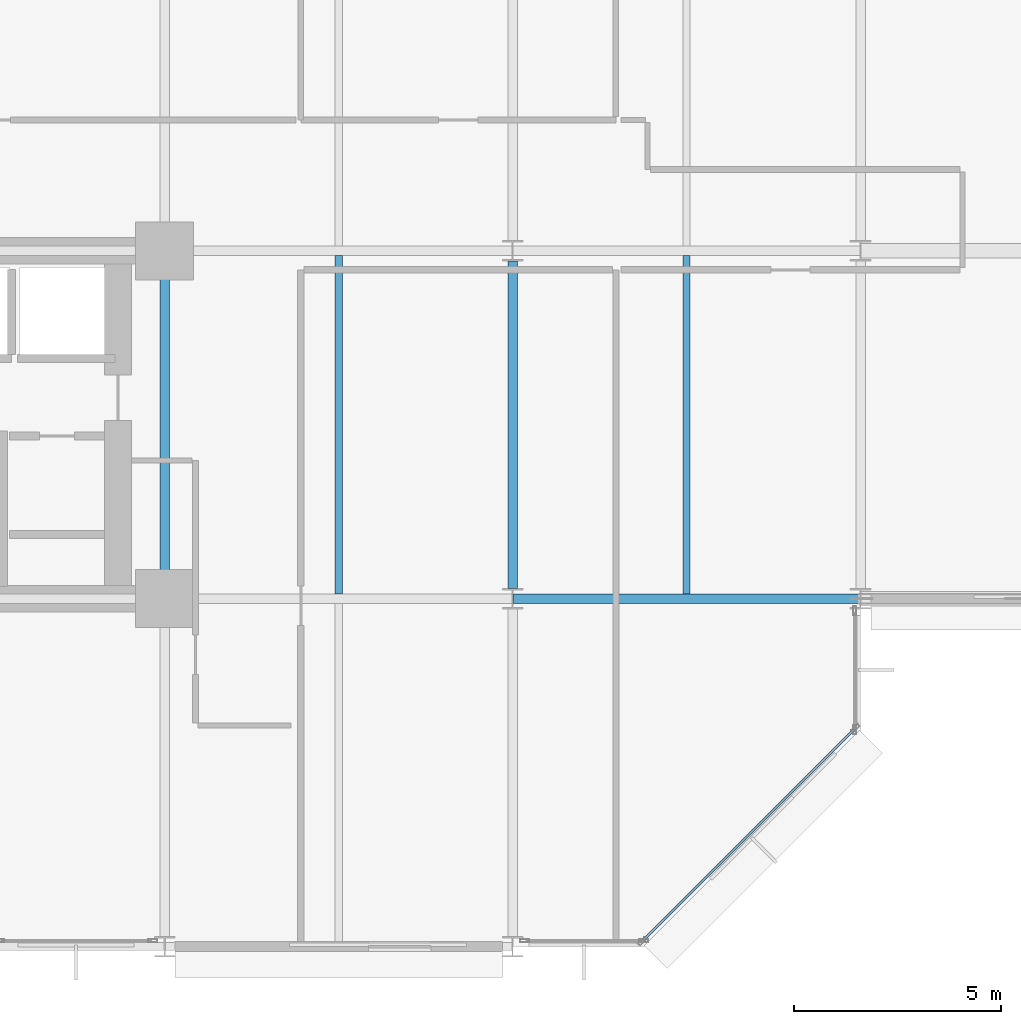
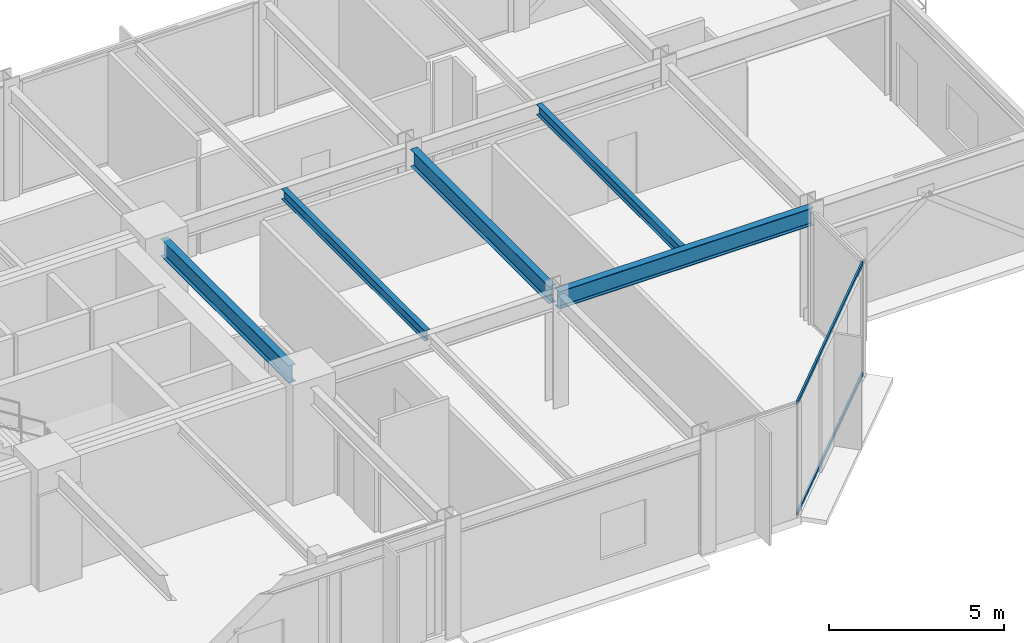
# One storey, part 12 of 30: 5 beams, 2 members, 1 element without a shape of its own.
"""IFC4 building model written with IfcOpenShell, lengths in metres."""

from ifc_helpers import new_model, si_unit, direction, frame, origin, origin_2d, place, context, subcontext, project, spatial, hollow_rectangle, i_section, extrude, material, layer, layer_set, material_profile, profile_set, type_object, element, aggregate, save


model = new_model("IFC4")

# Units and contexts
model_context = context("Model", 3, precision=1e-05, world=origin(), true_north=direction((0.0, 1.0)))
body_context = subcontext(model_context, "Body", "Model", "MODEL_VIEW")
ifc_project = project(units=[si_unit("LENGTHUNIT", "METRE"), si_unit("AREAUNIT", "SQUARE_METRE"), si_unit("VOLUMEUNIT", "CUBIC_METRE"), si_unit("PLANEANGLEUNIT", "RADIAN"), si_unit("MASSUNIT", "GRAM", prefix="KILO")], contexts=[model_context])

# Site, building, storey
site_placement = place(None, origin())
site = spatial("IfcSite", under=ifc_project, at=site_placement, CompositionType="ELEMENT")
building_placement = place(site_placement, origin())
building = spatial("IfcBuilding", under=site, at=building_placement, Name="Nerrivon Quay Data Exchange", CompositionType="ELEMENT")
storey_placement = place(building_placement, frame((0.0, 0.0, 62.60009765625)))
storey = spatial("IfcBuildingStorey", under=building, at=storey_placement, Name="L14", CompositionType="ELEMENT", Elevation=62.60009765625)

# Beams
ifc_material_1 = material(Name="Steel Grade 350", Category="steel")
ifc_material_profile_1 = material_profile(ifc_material_1, i_section(OverallWidth=0.22900390625, OverallDepth=0.612060546875, WebThickness=0.011962890625, FlangeThickness=0.01953125, FilletRadius=0.013916015625, at=origin_2d()), Name="610UB125")
ifc_profile_set_1 = profile_set([ifc_material_profile_1], Name="Steel Grade 350")
beam_type_1 = type_object("IfcBeamType", Name="BM-G1-610UB125", PredefinedType="BEAM", material=ifc_profile_set_1)
beam_1_placement = place(storey_placement, frame((42.013916015625, 8.39990234375, 3.618896484375), z_axis=(1.0, 0.0, 0.0), x_axis=(0.0, 1.0, 0.0)))
element("IfcBeam", 1, at=beam_1_placement, inside=storey, type_object=beam_type_1, Name="L14 EW Girder Y=8.4 (42.0..50.4)", PredefinedType="BEAM", context=body_context, shape_type="SweptSolid", body=[
    extrude(i_section(OverallWidth=0.22900390625, OverallDepth=0.612060546875, WebThickness=0.011962890625, FlangeThickness=0.01953125, FilletRadius=0.013916015625, at=origin_2d()), origin(), (0.0, 0.0, 1.0), 8.3720703125),
])
ifc_material_profile_2 = material_profile(ifc_material_1, i_section(OverallWidth=0.22802734375, OverallDepth=0.60205078125, WebThickness=0.010498046875, FlangeThickness=0.014892578125, FilletRadius=0.013916015625, at=origin_2d()), Name="610UB101")
ifc_profile_set_2 = profile_set([ifc_material_profile_2], Name="Steel Grade 350")
beam_type_2 = type_object("IfcBeamType", Name="BM-G2-610UB101", PredefinedType="BEAM", material=ifc_profile_set_2)
beam_2_placement = place(storey_placement, frame((33.60009765625, 8.93994140625, 3.6240234375), z_axis=(0.0, 1.0, 0.0), x_axis=(-1.0, 0.0, 0.0)))
element("IfcBeam", 2, at=beam_2_placement, inside=storey, type_object=beam_type_2, Name="L14 NS Girder X=33.6 (8.4..16.8)", PredefinedType="BEAM", context=body_context, shape_type="SweptSolid", body=[
    extrude(i_section(OverallWidth=0.22802734375, OverallDepth=0.60205078125, WebThickness=0.010498046875, FlangeThickness=0.014892578125, FilletRadius=0.013916015625, at=origin_2d()), origin(), (0.0, 0.0, 1.0), 7.320068359375),
])
beam_3_placement = place(storey_placement, frame((42.0, 8.64990234375, 3.6240234375), z_axis=(0.0, 1.0, 0.0), x_axis=(-1.0, 0.0, 0.0)))
element("IfcBeam", 3, at=beam_3_placement, inside=storey, type_object=beam_type_2, Name="L14 NS Girder X=42.0 (8.4..16.8)", PredefinedType="BEAM", context=body_context, shape_type="SweptSolid", body=[
    extrude(i_section(OverallWidth=0.22802734375, OverallDepth=0.60205078125, WebThickness=0.010498046875, FlangeThickness=0.014892578125, FilletRadius=0.013916015625, at=origin_2d()), origin(), (0.0, 0.0, 1.0), 7.900146484375),
])
ifc_material_profile_3 = material_profile(ifc_material_1, i_section(OverallWidth=0.172119140625, OverallDepth=0.35888671875, WebThickness=0.008056640625, FlangeThickness=0.012939453125, FilletRadius=0.011474609375, at=origin_2d()), Name="360UB56.7")
ifc_profile_set_3 = profile_set([ifc_material_profile_3], Name="Steel Grade 350")
beam_type_3 = type_object("IfcBeamType", Name="BM-J3-360UB57", PredefinedType="JOIST", material=ifc_profile_set_3)
for number, where, z_axis, x_axis, name in (
    (4, (37.800048828125, 8.514404296875, 3.745361328125), (0.0, 1.0, 0.0), (-1.0, 0.0, 0.0), "L14 Secondary Joist X=37.8 (8.4..16.8)"),
    (5, (46.199951171875, 8.514404296875, 3.745361328125), (0.0, 1.0, 0.0), (-1.0, 0.0, 0.0), "L14 Secondary Joist X=46.2 (8.4..16.8)"),
):
    element("IfcBeam", number, at=place(storey_placement, frame(where, z_axis=z_axis, x_axis=x_axis)), inside=storey, type_object=beam_type_3, Name=name, PredefinedType="JOIST", context=body_context, shape_type="SweptSolid", body=[
        extrude(i_section(OverallWidth=0.172119140625, OverallDepth=0.35888671875, WebThickness=0.008056640625, FlangeThickness=0.012939453125, FilletRadius=0.011474609375, at=origin_2d()), origin(), (0.0, 0.0, 1.0), 8.171142578125),
    ])

# Curtain wall, members
ifc_material_2 = material(Name="Anodised aluminium 6063-T6", Category="aluminium")
ifc_layer = layer(ifc_material_2, 0.219970703125)
ifc_layer_set = layer_set([ifc_layer], Name="Anodised aluminium 6063-T6")
curtain_wall_type = type_object("IfcCurtainWallType", Name="CW-SYS-01", PredefinedType="NOTDEFINED", material=ifc_layer_set)
curtain_wall_placement = place(storey_placement, origin())
curtain_wall = element("IfcCurtainWall", 6, at=curtain_wall_placement, inside=storey, type_object=curtain_wall_type, Name="L14 Unitised Curtain Wall 5", PredefinedType="NOTDEFINED")
ifc_material_profile_4 = material_profile(ifc_material_2, hollow_rectangle(XDim=0.06005859375, YDim=0.1201171875, WallThickness=0.003173828125, at=origin_2d()), Name="ALU-TRAN-120x60")
ifc_profile_set_4 = profile_set([ifc_material_profile_4], Name="Anodised aluminium 6063-T6")
member_type = type_object("IfcMemberType", Name="CWT-120x60", PredefinedType="USERDEFINED", material=ifc_profile_set_4)
member_1_placement = place(storey_placement, frame((50.248046875, 5.245849609375, 0.032470703125), z_axis=(-0.707123726196, -0.707089835771, 0.0), x_axis=(0.707089835771, -0.707123726196, 0.0)))
member_1 = element("IfcMember", 7, at=member_1_placement, type_object=member_type, Name="CW01 transom 1.1", ObjectType="TRANSOM", PredefinedType="USERDEFINED", context=body_context, shape_type="SweptSolid", body=[
    extrude(hollow_rectangle(XDim=0.06005859375, YDim=0.1201171875, WallThickness=0.003173828125, at=origin_2d()), origin(), (0.0, 0.0, 1.0), 7.203857421875),
])
member_2_placement = place(storey_placement, frame((50.248046875, 5.245849609375, 3.892333984375), z_axis=(-0.707123726196, -0.707089835771, 0.0), x_axis=(0.707089835771, -0.707123726196, 0.0)))
member_2 = element("IfcMember", 8, at=member_2_placement, type_object=member_type, Name="CW01 transom 1.2", ObjectType="TRANSOM", PredefinedType="USERDEFINED", context=body_context, shape_type="SweptSolid", body=[
    extrude(hollow_rectangle(XDim=0.06005859375, YDim=0.1201171875, WallThickness=0.003173828125, at=origin_2d()), origin(), (0.0, 0.0, 1.0), 7.203857421875),
])
aggregate(curtain_wall, [member_1, member_2])

save(model, "model.ifc")
